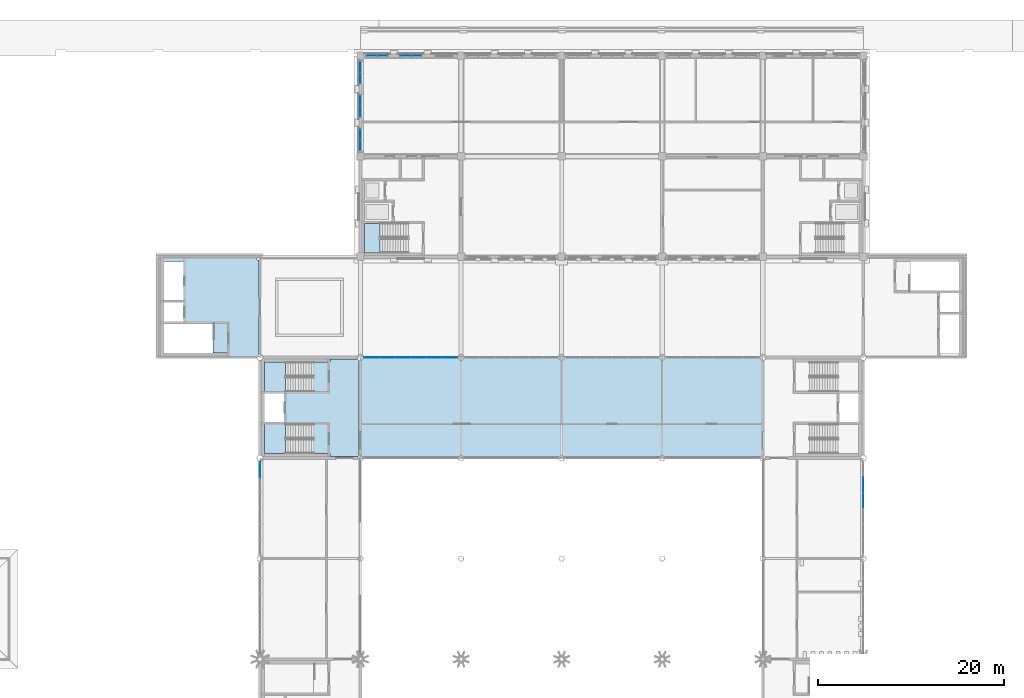
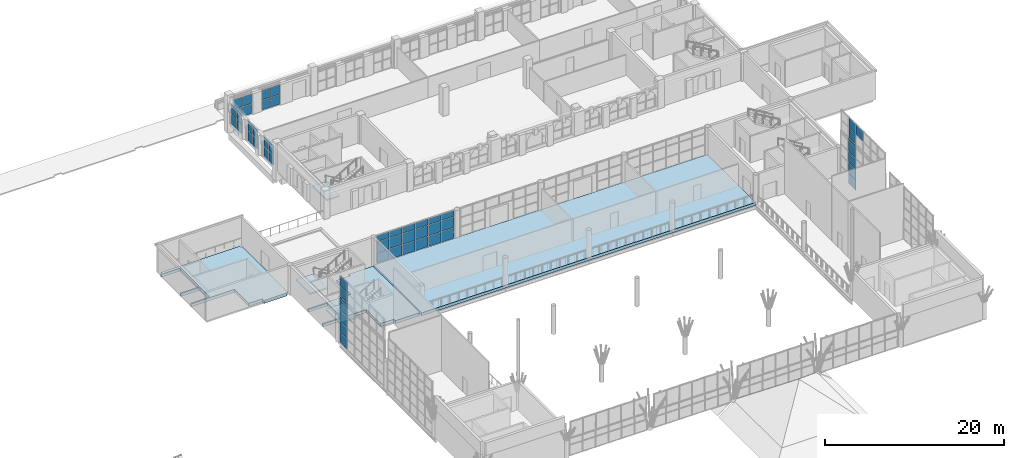
# One storey, part 50 of 95: 53 plates, 6 slabs, 13 elements without a shape of their own.
"""IFC4 building model written with IfcOpenShell, lengths in metres."""

from ifc_helpers import new_model, si_unit, direction, frame, origin, origin_2d, place, context, subcontext, project, spatial, polyline, rectangle, outline, extrude, material, layer, layer_set, type_object, element, aggregate, save


model = new_model("IFC4")

# Units and contexts
model_context = context("Model", 3, precision=1e-05, world=origin(), true_north=direction((0.0, 1.0)))
body_context = subcontext(model_context, "Body", "Model", "MODEL_VIEW")
ifc_project = project(units=[si_unit("LENGTHUNIT", "METRE"), si_unit("AREAUNIT", "SQUARE_METRE"), si_unit("VOLUMEUNIT", "CUBIC_METRE"), si_unit("PLANEANGLEUNIT", "RADIAN"), si_unit("MASSUNIT", "GRAM", prefix="KILO")], contexts=[model_context])

# Site, building, storey
site_placement = place(None, origin())
site = spatial("IfcSite", under=ifc_project, at=site_placement, CompositionType="ELEMENT")
building_placement = place(site_placement, origin())
building = spatial("IfcBuilding", under=site, at=building_placement, Name="Magnolia Steps Interchange", CompositionType="ELEMENT")
storey_placement = place(building_placement, frame((0.0, 0.0, 4.800048828125)))
storey = spatial("IfcBuildingStorey", under=building, at=storey_placement, Name="L01", CompositionType="ELEMENT", Elevation=4.800048828125)

# Slabs
ifc_material_1 = material(Name="Concrete C35", Category="concrete")
ifc_layer_1 = layer(ifc_material_1, 0.39990234375)
ifc_layer_set_1 = layer_set([ifc_layer_1], Name="Core floor slab 400")
slab_type_1 = type_object("IfcSlabType", Name="Core floor slab 400", PredefinedType="FLOOR", material=ifc_layer_set_1)
slab_1_placement = place(storey_placement, frame((0.0, 0.0, -0.400146484375)))
element("IfcSlab", 1, at=slab_1_placement, inside=storey, type_object=slab_type_1, Name="L01 core floor HC1", PredefinedType="FLOOR", context=body_context, shape_type="SweptSolid", body=[
    extrude(outline(polyline([(60.699951171875, 75.300048828125), (58.949951171875, 75.300048828125), (58.949951171875, 78.449951171875), (53.35009765625, 78.449951171875), (53.35009765625, 78.64990234375), (55.800048828125, 78.64990234375), (55.800048828125, 81.75), (53.35009765625, 81.75), (53.35009765625, 81.949951171875), (58.949951171875, 81.949951171875), (58.949951171875, 85.10009765625), (60.699951171875, 85.10009765625), (60.699951171875, 85.449951171875), (63.706298828125, 85.449951171875), (63.708984375, 85.4443359375), (63.7255859375, 85.416748046875), (63.744873046875, 85.390625), (63.7666015625, 85.36669921875), (63.790771484375, 85.344970703125), (63.816650390625, 85.32568359375), (63.844482421875, 85.30908203125), (63.85009765625, 85.306396484375), (63.85009765625, 75.065185546875), (63.83056640625, 75.0537109375), (63.806396484375, 75.035888671875), (63.784423828125, 75.015625), (63.76416015625, 74.993408203125), (63.746337890625, 74.969482421875), (63.73486328125, 74.949951171875), (60.699951171875, 74.949951171875), (60.699951171875, 75.300048828125)])), origin(), (0.0, 0.0, 1.0), 0.400146484375),
])
slab_2_placement = place(storey_placement, frame((0.0, 0.0, -0.400146484375)))
element("IfcSlab", 2, at=slab_2_placement, inside=storey, type_object=slab_type_1, Name="L01 core floor WC-W", PredefinedType="FLOOR", context=body_context, shape_type="SweptSolid", body=[
    extrude(outline(polyline([(49.89990234375, 86.10009765625), (48.14990234375, 86.10009765625), (48.14990234375, 89.25), (42.52490234375, 89.25), (42.52490234375, 89.449951171875), (45.0, 89.449951171875), (45.0, 91.550048828125), (42.52490234375, 91.550048828125), (42.52490234375, 91.75), (45.0, 91.75), (45.0, 95.89990234375), (42.52490234375, 95.89990234375), (42.52490234375, 96.10009765625), (42.699951171875, 96.10009765625), (42.699951171875, 96.27490234375), (52.89990234375, 96.27490234375), (52.89990234375, 96.10009765625), (53.074951171875, 96.10009765625), (53.074951171875, 85.9052734375), (53.07373046875, 85.90478515625), (53.04443359375, 85.89111328125), (53.0166015625, 85.874267578125), (52.99072265625, 85.85498046875), (52.966552734375, 85.833251953125), (52.94482421875, 85.809326171875), (52.925537109375, 85.783447265625), (52.908935546875, 85.755615234375), (52.89501953125, 85.726318359375), (52.894775390625, 85.72509765625), (49.89990234375, 85.72509765625), (49.89990234375, 86.10009765625)])), origin(), (0.0, 0.0, 1.0), 0.400146484375),
])

# Stair, slab
ifc_material_2 = material(Name="Concrete C40", Category="concrete")
stair_type = type_object("IfcStairType", Name="Exit stair 1500", PredefinedType="HALF_TURN_STAIR", material=ifc_material_2)
stair_1_placement = place(storey_placement, origin())
stair_1 = element("IfcStair", 3, at=stair_1_placement, inside=storey, type_object=stair_type, Name="L01 Stair 1", PredefinedType="HALF_TURN_STAIR")
ifc_material_3 = material(Name="Concrete C40", Category="concrete")
ifc_layer_2 = layer(ifc_material_3, 0.199951171875)
ifc_layer_set_2 = layer_set([ifc_layer_2], Name="Exit stair landing 200")
slab_type_2 = type_object("IfcSlabType", Name="Exit stair landing 200", PredefinedType="LANDING", material=ifc_layer_set_2)
slab_3_placement = place(storey_placement, frame((0.0, 0.0, 1.75)))
slab_3 = element("IfcSlab", 4, at=slab_3_placement, type_object=slab_type_2, Name="Stair 1 landing 1", PredefinedType="LANDING", context=body_context, shape_type="SweptSolid", body=[
    extrude(outline(polyline([(55.919921875, 78.449951171875), (53.699951171875, 78.449951171875), (53.699951171875, 75.300048828125), (55.919921875, 75.300048828125), (55.919921875, 78.449951171875)])), origin(), (0.0, 0.0, 1.0), 0.199951171875),
])
aggregate(stair_1, [slab_3])

stair_2_placement = place(storey_placement, origin())
stair_2 = element("IfcStair", 5, at=stair_2_placement, inside=storey, type_object=stair_type, Name="L01 Stair 2", PredefinedType="HALF_TURN_STAIR")
slab_4_placement = place(storey_placement, frame((0.0, 0.0, 1.75)))
slab_4 = element("IfcSlab", 6, at=slab_4_placement, type_object=slab_type_2, Name="Stair 2 landing 1", PredefinedType="LANDING", context=body_context, shape_type="SweptSolid", body=[
    extrude(outline(polyline([(55.919921875, 85.10009765625), (53.699951171875, 85.10009765625), (53.699951171875, 81.949951171875), (55.919921875, 81.949951171875), (55.919921875, 85.10009765625)])), origin(), (0.0, 0.0, 1.0), 0.199951171875),
])
aggregate(stair_2, [slab_4])

stair_3_placement = place(storey_placement, origin())
stair_3 = element("IfcStair", 7, at=stair_3_placement, inside=storey, type_object=stair_type, Name="L01 Stair 28", PredefinedType="HALF_TURN_STAIR")
slab_5_placement = place(storey_placement, frame((0.0, 0.0, 1.75)))
slab_5 = element("IfcSlab", 8, at=slab_5_placement, type_object=slab_type_2, Name="Stair 28 landing 1", PredefinedType="LANDING", context=body_context, shape_type="SweptSolid", body=[
    extrude(outline(polyline([(66.070068359375, 100.0), (64.449951171875, 100.0), (64.449951171875, 96.85009765625), (66.070068359375, 96.85009765625), (66.070068359375, 100.0)])), origin(), (0.0, 0.0, 1.0), 0.199951171875),
])
aggregate(stair_3, [slab_5])

# Slab
ifc_material_4 = material(Name="Concrete C40", Category="concrete")
ifc_layer_3 = layer(ifc_material_4, 0.39990234375)
ifc_layer_set_3 = layer_set([ifc_layer_3], Name="Floor slab 400")
slab_type_3 = type_object("IfcSlabType", Name="Floor slab 400", PredefinedType="FLOOR", material=ifc_layer_set_3)
slab_6_placement = place(storey_placement, frame((0.0, 0.0, -0.400146484375)))
element("IfcSlab", 9, at=slab_6_placement, inside=storey, type_object=slab_type_3, Name="Hall gallery floor", PredefinedType="FLOOR", context=body_context, shape_type="SweptSolid", body=[
    extrude(outline(polyline([(64.0, 85.60009765625), (64.0, 74.800048828125), (107.199951171875, 74.800048828125), (107.199951171875, 85.60009765625), (64.0, 85.60009765625)])), origin(), (0.0, 0.0, 1.0), 0.400146484375),
])

# Curtain wall, plates
ifc_material_5 = material(Name="Powder-coated aluminium and glass", Category="aluminium")
ifc_layer_4 = layer(ifc_material_5, 0.179931640625)
ifc_layer_set_4 = layer_set([ifc_layer_4], Name="Lobby shopfront curtain wall")
curtain_wall_type_1 = type_object("IfcCurtainWallType", Name="Lobby shopfront curtain wall", PredefinedType="NOTDEFINED", material=ifc_layer_set_4)
curtain_wall_1_placement = place(storey_placement, origin())
curtain_wall_1 = element("IfcCurtainWall", 10, at=curtain_wall_1_placement, inside=storey, type_object=curtain_wall_type_1, Name="Operations lobby north glazing 2", PredefinedType="NOTDEFINED")
ifc_material_6 = material(Name="Laminated glass", Category="glass")
ifc_layer_5 = layer(ifc_material_6, 0.028076171875)
ifc_layer_set_5 = layer_set([ifc_layer_5], Name="Glass panel 28")
plate_type = type_object("IfcPlateType", Name="Glass panel 28", PredefinedType="CURTAIN_PANEL", material=ifc_layer_set_5)
plate_1_placement = place(storey_placement, frame((65.215087890625, 118.0, 0.059814453125), z_axis=(0.0, 0.0, 1.0), x_axis=(1.0, 0.0, 0.0)))
plate_1 = element("IfcPlate", 11, at=plate_1_placement, type_object=plate_type, Name="CW5 panel 1.1", PredefinedType="CURTAIN_PANEL", context=body_context, shape_type="SweptSolid", body=[
    extrude(rectangle(XDim=1.110107421875, YDim=0.028076171875, at=origin_2d()), origin(), (0.0, 0.0, 1.0), 1.31005859375),
])
plate_2_placement = place(storey_placement, frame((65.215087890625, 118.0, 1.429931640625), z_axis=(0.0, 0.0, 1.0), x_axis=(1.0, 0.0, 0.0)))
plate_2 = element("IfcPlate", 12, at=plate_2_placement, type_object=plate_type, Name="CW5 panel 1.2", PredefinedType="CURTAIN_PANEL", context=body_context, shape_type="SweptSolid", body=[
    extrude(rectangle(XDim=1.110107421875, YDim=0.028076171875, at=origin_2d()), origin(), (0.0, 0.0, 1.0), 1.31005859375),
])
plate_3_placement = place(storey_placement, frame((66.385009765625, 118.0, 0.059814453125), z_axis=(0.0, 0.0, 1.0), x_axis=(1.0, 0.0, 0.0)))
plate_3 = element("IfcPlate", 13, at=plate_3_placement, type_object=plate_type, Name="CW5 panel 2.1", PredefinedType="CURTAIN_PANEL", context=body_context, shape_type="SweptSolid", body=[
    extrude(rectangle(XDim=1.110107421875, YDim=0.028076171875, at=origin_2d()), origin(), (0.0, 0.0, 1.0), 1.31005859375),
])
plate_4_placement = place(storey_placement, frame((66.385009765625, 118.0, 1.429931640625), z_axis=(0.0, 0.0, 1.0), x_axis=(1.0, 0.0, 0.0)))
plate_4 = element("IfcPlate", 14, at=plate_4_placement, type_object=plate_type, Name="CW5 panel 2.2", PredefinedType="CURTAIN_PANEL", context=body_context, shape_type="SweptSolid", body=[
    extrude(rectangle(XDim=1.110107421875, YDim=0.028076171875, at=origin_2d()), origin(), (0.0, 0.0, 1.0), 1.31005859375),
])
aggregate(curtain_wall_1, [plate_1, plate_2, plate_3, plate_4])

curtain_wall_2_placement = place(storey_placement, origin())
curtain_wall_2 = element("IfcCurtainWall", 15, at=curtain_wall_2_placement, inside=storey, type_object=curtain_wall_type_1, Name="Operations lobby north glazing 4", PredefinedType="NOTDEFINED")
plate_5_placement = place(storey_placement, frame((68.81494140625, 118.0, 0.059814453125), z_axis=(0.0, 0.0, 1.0), x_axis=(1.0, 0.0, 0.0)))
plate_5 = element("IfcPlate", 16, at=plate_5_placement, type_object=plate_type, Name="CW5 panel 1.1", PredefinedType="CURTAIN_PANEL", context=body_context, shape_type="SweptSolid", body=[
    extrude(rectangle(XDim=1.110107421875, YDim=0.028076171875, at=origin_2d()), origin(), (0.0, 0.0, 1.0), 1.31005859375),
])
plate_6_placement = place(storey_placement, frame((68.81494140625, 118.0, 1.429931640625), z_axis=(0.0, 0.0, 1.0), x_axis=(1.0, 0.0, 0.0)))
plate_6 = element("IfcPlate", 17, at=plate_6_placement, type_object=plate_type, Name="CW5 panel 1.2", PredefinedType="CURTAIN_PANEL", context=body_context, shape_type="SweptSolid", body=[
    extrude(rectangle(XDim=1.110107421875, YDim=0.028076171875, at=origin_2d()), origin(), (0.0, 0.0, 1.0), 1.31005859375),
])
plate_7_placement = place(storey_placement, frame((69.985107421875, 118.0, 0.059814453125), z_axis=(0.0, 0.0, 1.0), x_axis=(1.0, 0.0, 0.0)))
plate_7 = element("IfcPlate", 18, at=plate_7_placement, type_object=plate_type, Name="CW5 panel 2.1", PredefinedType="CURTAIN_PANEL", context=body_context, shape_type="SweptSolid", body=[
    extrude(rectangle(XDim=1.110107421875, YDim=0.028076171875, at=origin_2d()), origin(), (0.0, 0.0, 1.0), 1.31005859375),
])
plate_8_placement = place(storey_placement, frame((69.985107421875, 118.0, 1.429931640625), z_axis=(0.0, 0.0, 1.0), x_axis=(1.0, 0.0, 0.0)))
plate_8 = element("IfcPlate", 19, at=plate_8_placement, type_object=plate_type, Name="CW5 panel 2.2", PredefinedType="CURTAIN_PANEL", context=body_context, shape_type="SweptSolid", body=[
    extrude(rectangle(XDim=1.110107421875, YDim=0.028076171875, at=origin_2d()), origin(), (0.0, 0.0, 1.0), 1.31005859375),
])
aggregate(curtain_wall_2, [plate_5, plate_6, plate_7, plate_8])

curtain_wall_3_placement = place(storey_placement, origin())
curtain_wall_3 = element("IfcCurtainWall", 20, at=curtain_wall_3_placement, inside=storey, type_object=curtain_wall_type_1, Name="Operations lobby west glazing 2", PredefinedType="NOTDEFINED")
plate_9_placement = place(storey_placement, frame((64.0, 108.4150390625, 0.059814453125), z_axis=(0.0, 0.0, 1.0), x_axis=(0.0, 1.0, 0.0)))
plate_9 = element("IfcPlate", 21, at=plate_9_placement, type_object=plate_type, Name="CW5 panel 1.1", PredefinedType="CURTAIN_PANEL", context=body_context, shape_type="SweptSolid", body=[
    extrude(rectangle(XDim=1.110107421875, YDim=0.028076171875, at=origin_2d()), origin(), (0.0, 0.0, 1.0), 1.31005859375),
])
plate_10_placement = place(storey_placement, frame((64.0, 108.4150390625, 1.429931640625), z_axis=(0.0, 0.0, 1.0), x_axis=(0.0, 1.0, 0.0)))
plate_10 = element("IfcPlate", 22, at=plate_10_placement, type_object=plate_type, Name="CW5 panel 1.2", PredefinedType="CURTAIN_PANEL", context=body_context, shape_type="SweptSolid", body=[
    extrude(rectangle(XDim=1.110107421875, YDim=0.028076171875, at=origin_2d()), origin(), (0.0, 0.0, 1.0), 1.31005859375),
])
plate_11_placement = place(storey_placement, frame((64.0, 109.5849609375, 0.059814453125), z_axis=(0.0, 0.0, 1.0), x_axis=(0.0, 1.0, 0.0)))
plate_11 = element("IfcPlate", 23, at=plate_11_placement, type_object=plate_type, Name="CW5 panel 2.1", PredefinedType="CURTAIN_PANEL", context=body_context, shape_type="SweptSolid", body=[
    extrude(rectangle(XDim=1.110107421875, YDim=0.028076171875, at=origin_2d()), origin(), (0.0, 0.0, 1.0), 1.31005859375),
])
plate_12_placement = place(storey_placement, frame((64.0, 109.5849609375, 1.429931640625), z_axis=(0.0, 0.0, 1.0), x_axis=(0.0, 1.0, 0.0)))
plate_12 = element("IfcPlate", 24, at=plate_12_placement, type_object=plate_type, Name="CW5 panel 2.2", PredefinedType="CURTAIN_PANEL", context=body_context, shape_type="SweptSolid", body=[
    extrude(rectangle(XDim=1.110107421875, YDim=0.028076171875, at=origin_2d()), origin(), (0.0, 0.0, 1.0), 1.31005859375),
])
aggregate(curtain_wall_3, [plate_9, plate_10, plate_11, plate_12])

curtain_wall_4_placement = place(storey_placement, origin())
curtain_wall_4 = element("IfcCurtainWall", 25, at=curtain_wall_4_placement, inside=storey, type_object=curtain_wall_type_1, Name="Operations lobby west glazing 4", PredefinedType="NOTDEFINED")
plate_13_placement = place(storey_placement, frame((64.0, 112.014892578125, 0.059814453125), z_axis=(0.0, 0.0, 1.0), x_axis=(0.0, 1.0, 0.0)))
plate_13 = element("IfcPlate", 26, at=plate_13_placement, type_object=plate_type, Name="CW5 panel 1.1", PredefinedType="CURTAIN_PANEL", context=body_context, shape_type="SweptSolid", body=[
    extrude(rectangle(XDim=1.110107421875, YDim=0.028076171875, at=origin_2d()), origin(), (0.0, 0.0, 1.0), 1.31005859375),
])
plate_14_placement = place(storey_placement, frame((64.0, 112.014892578125, 1.429931640625), z_axis=(0.0, 0.0, 1.0), x_axis=(0.0, 1.0, 0.0)))
plate_14 = element("IfcPlate", 27, at=plate_14_placement, type_object=plate_type, Name="CW5 panel 1.2", PredefinedType="CURTAIN_PANEL", context=body_context, shape_type="SweptSolid", body=[
    extrude(rectangle(XDim=1.110107421875, YDim=0.028076171875, at=origin_2d()), origin(), (0.0, 0.0, 1.0), 1.31005859375),
])
plate_15_placement = place(storey_placement, frame((64.0, 113.18505859375, 0.059814453125), z_axis=(0.0, 0.0, 1.0), x_axis=(0.0, 1.0, 0.0)))
plate_15 = element("IfcPlate", 28, at=plate_15_placement, type_object=plate_type, Name="CW5 panel 2.1", PredefinedType="CURTAIN_PANEL", context=body_context, shape_type="SweptSolid", body=[
    extrude(rectangle(XDim=1.110107421875, YDim=0.028076171875, at=origin_2d()), origin(), (0.0, 0.0, 1.0), 1.31005859375),
])
plate_16_placement = place(storey_placement, frame((64.0, 113.18505859375, 1.429931640625), z_axis=(0.0, 0.0, 1.0), x_axis=(0.0, 1.0, 0.0)))
plate_16 = element("IfcPlate", 29, at=plate_16_placement, type_object=plate_type, Name="CW5 panel 2.2", PredefinedType="CURTAIN_PANEL", context=body_context, shape_type="SweptSolid", body=[
    extrude(rectangle(XDim=1.110107421875, YDim=0.028076171875, at=origin_2d()), origin(), (0.0, 0.0, 1.0), 1.31005859375),
])
aggregate(curtain_wall_4, [plate_13, plate_14, plate_15, plate_16])

curtain_wall_5_placement = place(storey_placement, origin())
curtain_wall_5 = element("IfcCurtainWall", 30, at=curtain_wall_5_placement, inside=storey, type_object=curtain_wall_type_1, Name="Operations lobby west glazing 6", PredefinedType="NOTDEFINED")
plate_17_placement = place(storey_placement, frame((64.0, 115.614990234375, 0.059814453125), z_axis=(0.0, 0.0, 1.0), x_axis=(0.0, 1.0, 0.0)))
plate_17 = element("IfcPlate", 31, at=plate_17_placement, type_object=plate_type, Name="CW5 panel 1.1", PredefinedType="CURTAIN_PANEL", context=body_context, shape_type="SweptSolid", body=[
    extrude(rectangle(XDim=1.110107421875, YDim=0.028076171875, at=origin_2d()), origin(), (0.0, 0.0, 1.0), 1.31005859375),
])
plate_18_placement = place(storey_placement, frame((64.0, 115.614990234375, 1.429931640625), z_axis=(0.0, 0.0, 1.0), x_axis=(0.0, 1.0, 0.0)))
plate_18 = element("IfcPlate", 32, at=plate_18_placement, type_object=plate_type, Name="CW5 panel 1.2", PredefinedType="CURTAIN_PANEL", context=body_context, shape_type="SweptSolid", body=[
    extrude(rectangle(XDim=1.110107421875, YDim=0.028076171875, at=origin_2d()), origin(), (0.0, 0.0, 1.0), 1.31005859375),
])
plate_19_placement = place(storey_placement, frame((64.0, 116.784912109375, 0.059814453125), z_axis=(0.0, 0.0, 1.0), x_axis=(0.0, 1.0, 0.0)))
plate_19 = element("IfcPlate", 33, at=plate_19_placement, type_object=plate_type, Name="CW5 panel 2.1", PredefinedType="CURTAIN_PANEL", context=body_context, shape_type="SweptSolid", body=[
    extrude(rectangle(XDim=1.110107421875, YDim=0.028076171875, at=origin_2d()), origin(), (0.0, 0.0, 1.0), 1.31005859375),
])
plate_20_placement = place(storey_placement, frame((64.0, 116.784912109375, 1.429931640625), z_axis=(0.0, 0.0, 1.0), x_axis=(0.0, 1.0, 0.0)))
plate_20 = element("IfcPlate", 34, at=plate_20_placement, type_object=plate_type, Name="CW5 panel 2.2", PredefinedType="CURTAIN_PANEL", context=body_context, shape_type="SweptSolid", body=[
    extrude(rectangle(XDim=1.110107421875, YDim=0.028076171875, at=origin_2d()), origin(), (0.0, 0.0, 1.0), 1.31005859375),
])
aggregate(curtain_wall_5, [plate_17, plate_18, plate_19, plate_20])

ifc_material_7 = material(Name="Powder-coated aluminium and glass", Category="aluminium")
ifc_layer_6 = layer(ifc_material_7, 0.14990234375)
ifc_layer_set_6 = layer_set([ifc_layer_6], Name="Glazed hall curtain wall")
curtain_wall_type_2 = type_object("IfcCurtainWallType", Name="Glazed hall curtain wall", PredefinedType="NOTDEFINED", material=ifc_layer_set_6)
curtain_wall_6_placement = place(storey_placement, origin())
curtain_wall_6 = element("IfcCurtainWall", 35, at=curtain_wall_6_placement, inside=storey, type_object=curtain_wall_type_2, Name="Hall glazing N2 L01", PredefinedType="NOTDEFINED")
plate_21_placement = place(storey_placement, frame((65.215087890625, 85.60009765625, 0.06005859375), z_axis=(0.0, 0.0, 1.0), x_axis=(1.0, 0.0, 0.0)))
plate_21 = element("IfcPlate", 36, at=plate_21_placement, type_object=plate_type, Name="CW1 panel 1.1", PredefinedType="CURTAIN_PANEL", context=body_context, shape_type="SweptSolid", body=[
    extrude(rectangle(XDim=1.590087890625, YDim=0.028076171875, at=origin_2d()), origin(), (0.0, 0.0, 1.0), 1.409912109375),
])
plate_22_placement = place(storey_placement, frame((65.215087890625, 85.60009765625, 1.530029296875), z_axis=(0.0, 0.0, 1.0), x_axis=(1.0, 0.0, 0.0)))
plate_22 = element("IfcPlate", 37, at=plate_22_placement, type_object=plate_type, Name="CW1 panel 1.2", PredefinedType="CURTAIN_PANEL", context=body_context, shape_type="SweptSolid", body=[
    extrude(rectangle(XDim=1.590087890625, YDim=0.028076171875, at=origin_2d()), origin(), (0.0, 0.0, 1.0), 1.43994140625),
])
plate_23_placement = place(storey_placement, frame((65.215087890625, 85.60009765625, 3.030029296875), z_axis=(0.0, 0.0, 1.0), x_axis=(1.0, 0.0, 0.0)))
plate_23 = element("IfcPlate", 38, at=plate_23_placement, type_object=plate_type, Name="CW1 panel 1.3", PredefinedType="CURTAIN_PANEL", context=body_context, shape_type="SweptSolid", body=[
    extrude(rectangle(XDim=1.590087890625, YDim=0.028076171875, at=origin_2d()), origin(), (0.0, 0.0, 1.0), 0.81005859375),
])
plate_24_placement = place(storey_placement, frame((66.8798828125, 85.60009765625, 0.06005859375), z_axis=(0.0, 0.0, 1.0), x_axis=(1.0, 0.0, 0.0)))
plate_24 = element("IfcPlate", 39, at=plate_24_placement, type_object=plate_type, Name="CW1 panel 2.1", PredefinedType="CURTAIN_PANEL", context=body_context, shape_type="SweptSolid", body=[
    extrude(rectangle(XDim=1.6201171875, YDim=0.028076171875, at=origin_2d()), origin(), (0.0, 0.0, 1.0), 1.409912109375),
])
plate_25_placement = place(storey_placement, frame((66.8798828125, 85.60009765625, 1.530029296875), z_axis=(0.0, 0.0, 1.0), x_axis=(1.0, 0.0, 0.0)))
plate_25 = element("IfcPlate", 40, at=plate_25_placement, type_object=plate_type, Name="CW1 panel 2.2", PredefinedType="CURTAIN_PANEL", context=body_context, shape_type="SweptSolid", body=[
    extrude(rectangle(XDim=1.6201171875, YDim=0.028076171875, at=origin_2d()), origin(), (0.0, 0.0, 1.0), 1.43994140625),
])
plate_26_placement = place(storey_placement, frame((66.8798828125, 85.60009765625, 3.030029296875), z_axis=(0.0, 0.0, 1.0), x_axis=(1.0, 0.0, 0.0)))
plate_26 = element("IfcPlate", 41, at=plate_26_placement, type_object=plate_type, Name="CW1 panel 2.3", PredefinedType="CURTAIN_PANEL", context=body_context, shape_type="SweptSolid", body=[
    extrude(rectangle(XDim=1.6201171875, YDim=0.028076171875, at=origin_2d()), origin(), (0.0, 0.0, 1.0), 0.81005859375),
])
plate_27_placement = place(storey_placement, frame((68.56005859375, 85.60009765625, 0.06005859375), z_axis=(0.0, 0.0, 1.0), x_axis=(1.0, 0.0, 0.0)))
plate_27 = element("IfcPlate", 42, at=plate_27_placement, type_object=plate_type, Name="CW1 panel 3.1", PredefinedType="CURTAIN_PANEL", context=body_context, shape_type="SweptSolid", body=[
    extrude(rectangle(XDim=1.6201171875, YDim=0.028076171875, at=origin_2d()), origin(), (0.0, 0.0, 1.0), 1.409912109375),
])
plate_28_placement = place(storey_placement, frame((68.56005859375, 85.60009765625, 1.530029296875), z_axis=(0.0, 0.0, 1.0), x_axis=(1.0, 0.0, 0.0)))
plate_28 = element("IfcPlate", 43, at=plate_28_placement, type_object=plate_type, Name="CW1 panel 3.2", PredefinedType="CURTAIN_PANEL", context=body_context, shape_type="SweptSolid", body=[
    extrude(rectangle(XDim=1.6201171875, YDim=0.028076171875, at=origin_2d()), origin(), (0.0, 0.0, 1.0), 1.43994140625),
])
plate_29_placement = place(storey_placement, frame((68.56005859375, 85.60009765625, 3.030029296875), z_axis=(0.0, 0.0, 1.0), x_axis=(1.0, 0.0, 0.0)))
plate_29 = element("IfcPlate", 44, at=plate_29_placement, type_object=plate_type, Name="CW1 panel 3.3", PredefinedType="CURTAIN_PANEL", context=body_context, shape_type="SweptSolid", body=[
    extrude(rectangle(XDim=1.6201171875, YDim=0.028076171875, at=origin_2d()), origin(), (0.0, 0.0, 1.0), 0.81005859375),
])
plate_30_placement = place(storey_placement, frame((70.239990234375, 85.60009765625, 0.06005859375), z_axis=(0.0, 0.0, 1.0), x_axis=(1.0, 0.0, 0.0)))
plate_30 = element("IfcPlate", 45, at=plate_30_placement, type_object=plate_type, Name="CW1 panel 4.1", PredefinedType="CURTAIN_PANEL", context=body_context, shape_type="SweptSolid", body=[
    extrude(rectangle(XDim=1.6201171875, YDim=0.028076171875, at=origin_2d()), origin(), (0.0, 0.0, 1.0), 1.409912109375),
])
plate_31_placement = place(storey_placement, frame((70.239990234375, 85.60009765625, 1.530029296875), z_axis=(0.0, 0.0, 1.0), x_axis=(1.0, 0.0, 0.0)))
plate_31 = element("IfcPlate", 46, at=plate_31_placement, type_object=plate_type, Name="CW1 panel 4.2", PredefinedType="CURTAIN_PANEL", context=body_context, shape_type="SweptSolid", body=[
    extrude(rectangle(XDim=1.6201171875, YDim=0.028076171875, at=origin_2d()), origin(), (0.0, 0.0, 1.0), 1.43994140625),
])
plate_32_placement = place(storey_placement, frame((70.239990234375, 85.60009765625, 3.030029296875), z_axis=(0.0, 0.0, 1.0), x_axis=(1.0, 0.0, 0.0)))
plate_32 = element("IfcPlate", 47, at=plate_32_placement, type_object=plate_type, Name="CW1 panel 4.3", PredefinedType="CURTAIN_PANEL", context=body_context, shape_type="SweptSolid", body=[
    extrude(rectangle(XDim=1.6201171875, YDim=0.028076171875, at=origin_2d()), origin(), (0.0, 0.0, 1.0), 0.81005859375),
])
plate_33_placement = place(storey_placement, frame((71.919921875, 85.60009765625, 0.06005859375), z_axis=(0.0, 0.0, 1.0), x_axis=(1.0, 0.0, 0.0)))
plate_33 = element("IfcPlate", 48, at=plate_33_placement, type_object=plate_type, Name="CW1 panel 5.1", PredefinedType="CURTAIN_PANEL", context=body_context, shape_type="SweptSolid", body=[
    extrude(rectangle(XDim=1.6201171875, YDim=0.028076171875, at=origin_2d()), origin(), (0.0, 0.0, 1.0), 1.409912109375),
])
plate_34_placement = place(storey_placement, frame((71.919921875, 85.60009765625, 1.530029296875), z_axis=(0.0, 0.0, 1.0), x_axis=(1.0, 0.0, 0.0)))
plate_34 = element("IfcPlate", 49, at=plate_34_placement, type_object=plate_type, Name="CW1 panel 5.2", PredefinedType="CURTAIN_PANEL", context=body_context, shape_type="SweptSolid", body=[
    extrude(rectangle(XDim=1.6201171875, YDim=0.028076171875, at=origin_2d()), origin(), (0.0, 0.0, 1.0), 1.43994140625),
])
plate_35_placement = place(storey_placement, frame((71.919921875, 85.60009765625, 3.030029296875), z_axis=(0.0, 0.0, 1.0), x_axis=(1.0, 0.0, 0.0)))
plate_35 = element("IfcPlate", 50, at=plate_35_placement, type_object=plate_type, Name="CW1 panel 5.3", PredefinedType="CURTAIN_PANEL", context=body_context, shape_type="SweptSolid", body=[
    extrude(rectangle(XDim=1.6201171875, YDim=0.028076171875, at=origin_2d()), origin(), (0.0, 0.0, 1.0), 0.81005859375),
])
plate_36_placement = place(storey_placement, frame((73.5849609375, 85.60009765625, 0.06005859375), z_axis=(0.0, 0.0, 1.0), x_axis=(1.0, 0.0, 0.0)))
plate_36 = element("IfcPlate", 51, at=plate_36_placement, type_object=plate_type, Name="CW1 panel 6.1", PredefinedType="CURTAIN_PANEL", context=body_context, shape_type="SweptSolid", body=[
    extrude(rectangle(XDim=1.590087890625, YDim=0.028076171875, at=origin_2d()), origin(), (0.0, 0.0, 1.0), 1.409912109375),
])
plate_37_placement = place(storey_placement, frame((73.5849609375, 85.60009765625, 1.530029296875), z_axis=(0.0, 0.0, 1.0), x_axis=(1.0, 0.0, 0.0)))
plate_37 = element("IfcPlate", 52, at=plate_37_placement, type_object=plate_type, Name="CW1 panel 6.2", PredefinedType="CURTAIN_PANEL", context=body_context, shape_type="SweptSolid", body=[
    extrude(rectangle(XDim=1.590087890625, YDim=0.028076171875, at=origin_2d()), origin(), (0.0, 0.0, 1.0), 1.43994140625),
])
plate_38_placement = place(storey_placement, frame((73.5849609375, 85.60009765625, 3.030029296875), z_axis=(0.0, 0.0, 1.0), x_axis=(1.0, 0.0, 0.0)))
plate_38 = element("IfcPlate", 53, at=plate_38_placement, type_object=plate_type, Name="CW1 panel 6.3", PredefinedType="CURTAIN_PANEL", context=body_context, shape_type="SweptSolid", body=[
    extrude(rectangle(XDim=1.590087890625, YDim=0.028076171875, at=origin_2d()), origin(), (0.0, 0.0, 1.0), 0.81005859375),
])
aggregate(curtain_wall_6, [plate_21, plate_22, plate_23, plate_24, plate_25, plate_26, plate_27, plate_28, plate_29, plate_30, plate_31, plate_32, plate_33, plate_34, plate_35, plate_36, plate_37, plate_38])

curtain_wall_7_placement = place(storey_placement, origin())
curtain_wall_7 = element("IfcCurtainWall", 54, at=curtain_wall_7_placement, inside=storey, type_object=curtain_wall_type_2, Name="Hall glazing W3 L01", PredefinedType="NOTDEFINED")
plate_39_placement = place(storey_placement, frame((53.199951171875, 73.5849609375, 0.06005859375), z_axis=(0.0, 0.0, 1.0), x_axis=(0.0, 1.0, 0.0)))
plate_39 = element("IfcPlate", 55, at=plate_39_placement, type_object=plate_type, Name="CW1 panel 6.1", PredefinedType="CURTAIN_PANEL", context=body_context, shape_type="SweptSolid", body=[
    extrude(rectangle(XDim=1.590087890625, YDim=0.028076171875, at=origin_2d()), origin(), (0.0, 0.0, 1.0), 1.409912109375),
])
plate_40_placement = place(storey_placement, frame((53.199951171875, 73.5849609375, 1.530029296875), z_axis=(0.0, 0.0, 1.0), x_axis=(0.0, 1.0, 0.0)))
plate_40 = element("IfcPlate", 56, at=plate_40_placement, type_object=plate_type, Name="CW1 panel 6.2", PredefinedType="CURTAIN_PANEL", context=body_context, shape_type="SweptSolid", body=[
    extrude(rectangle(XDim=1.590087890625, YDim=0.028076171875, at=origin_2d()), origin(), (0.0, 0.0, 1.0), 1.43994140625),
])
plate_41_placement = place(storey_placement, frame((53.199951171875, 73.5849609375, 3.030029296875), z_axis=(0.0, 0.0, 1.0), x_axis=(0.0, 1.0, 0.0)))
plate_41 = element("IfcPlate", 57, at=plate_41_placement, type_object=plate_type, Name="CW1 panel 6.3", PredefinedType="CURTAIN_PANEL", context=body_context, shape_type="SweptSolid", body=[
    extrude(rectangle(XDim=1.590087890625, YDim=0.028076171875, at=origin_2d()), origin(), (0.0, 0.0, 1.0), 1.43994140625),
])
plate_42_placement = place(storey_placement, frame((53.199951171875, 73.5849609375, 4.530029296875), z_axis=(0.0, 0.0, 1.0), x_axis=(0.0, 1.0, 0.0)))
plate_42 = element("IfcPlate", 58, at=plate_42_placement, type_object=plate_type, Name="CW1 panel 6.4", PredefinedType="CURTAIN_PANEL", context=body_context, shape_type="SweptSolid", body=[
    extrude(rectangle(XDim=1.590087890625, YDim=0.028076171875, at=origin_2d()), origin(), (0.0, 0.0, 1.0), 1.43994140625),
])
plate_43_placement = place(storey_placement, frame((53.199951171875, 73.5849609375, 6.030029296875), z_axis=(0.0, 0.0, 1.0), x_axis=(0.0, 1.0, 0.0)))
plate_43 = element("IfcPlate", 59, at=plate_43_placement, type_object=plate_type, Name="CW1 panel 6.5", PredefinedType="CURTAIN_PANEL", context=body_context, shape_type="SweptSolid", body=[
    extrude(rectangle(XDim=1.590087890625, YDim=0.028076171875, at=origin_2d()), origin(), (0.0, 0.0, 1.0), 0.31005859375),
])
aggregate(curtain_wall_7, [plate_39, plate_40, plate_41, plate_42, plate_43])

ifc_material_8 = material(Name="Powder-coated aluminium and glass", Category="aluminium")
ifc_layer_7 = layer(ifc_material_8, 0.1201171875)
ifc_layer_set_7 = layer_set([ifc_layer_7], Name="Hall clerestory curtain wall")
curtain_wall_type_3 = type_object("IfcCurtainWallType", Name="Hall clerestory curtain wall", PredefinedType="NOTDEFINED", material=ifc_layer_set_7)
curtain_wall_8_placement = place(storey_placement, origin())
curtain_wall_8 = element("IfcCurtainWall", 60, at=curtain_wall_8_placement, inside=storey, type_object=curtain_wall_type_3, Name="Hall clerestory W3", PredefinedType="NOTDEFINED")
plate_44_placement = place(storey_placement, frame((53.199951171875, 73.485107421875, 6.4599609375), z_axis=(0.0, 0.0, 1.0), x_axis=(0.0, 1.0, 0.0)))
plate_44 = element("IfcPlate", 61, at=plate_44_placement, type_object=plate_type, Name="CW6 panel 6.1", PredefinedType="CURTAIN_PANEL", context=body_context, shape_type="SweptSolid", body=[
    extrude(rectangle(XDim=1.550048828125, YDim=0.028076171875, at=origin_2d()), origin(), (0.0, 0.0, 1.0), 1.31005859375),
])
plate_45_placement = place(storey_placement, frame((53.199951171875, 73.485107421875, 7.829833984375), z_axis=(0.0, 0.0, 1.0), x_axis=(0.0, 1.0, 0.0)))
plate_45 = element("IfcPlate", 62, at=plate_45_placement, type_object=plate_type, Name="CW6 panel 6.2", PredefinedType="CURTAIN_PANEL", context=body_context, shape_type="SweptSolid", body=[
    extrude(rectangle(XDim=1.550048828125, YDim=0.028076171875, at=origin_2d()), origin(), (0.0, 0.0, 1.0), 1.31005859375),
])
aggregate(curtain_wall_8, [plate_44, plate_45])

curtain_wall_9_placement = place(storey_placement, origin())
curtain_wall_9 = element("IfcCurtainWall", 63, at=curtain_wall_9_placement, inside=storey, type_object=curtain_wall_type_2, Name="Hall glazing E3 L01", PredefinedType="NOTDEFINED")
plate_46_placement = place(storey_placement, frame((118.0, 71.919921875, 0.06005859375), z_axis=(0.0, 0.0, 1.0), x_axis=(0.0, 1.0, 0.0)))
plate_46 = element("IfcPlate", 64, at=plate_46_placement, type_object=plate_type, Name="CW1 panel 5.1", PredefinedType="CURTAIN_PANEL", context=body_context, shape_type="SweptSolid", body=[
    extrude(rectangle(XDim=1.6201171875, YDim=0.028076171875, at=origin_2d()), origin(), (0.0, 0.0, 1.0), 1.409912109375),
])
plate_47_placement = place(storey_placement, frame((118.0, 71.919921875, 1.530029296875), z_axis=(0.0, 0.0, 1.0), x_axis=(0.0, 1.0, 0.0)))
plate_47 = element("IfcPlate", 65, at=plate_47_placement, type_object=plate_type, Name="CW1 panel 5.2", PredefinedType="CURTAIN_PANEL", context=body_context, shape_type="SweptSolid", body=[
    extrude(rectangle(XDim=1.6201171875, YDim=0.028076171875, at=origin_2d()), origin(), (0.0, 0.0, 1.0), 1.43994140625),
])
plate_48_placement = place(storey_placement, frame((118.0, 71.919921875, 3.030029296875), z_axis=(0.0, 0.0, 1.0), x_axis=(0.0, 1.0, 0.0)))
plate_48 = element("IfcPlate", 66, at=plate_48_placement, type_object=plate_type, Name="CW1 panel 5.3", PredefinedType="CURTAIN_PANEL", context=body_context, shape_type="SweptSolid", body=[
    extrude(rectangle(XDim=1.6201171875, YDim=0.028076171875, at=origin_2d()), origin(), (0.0, 0.0, 1.0), 1.43994140625),
])
plate_49_placement = place(storey_placement, frame((118.0, 71.919921875, 4.530029296875), z_axis=(0.0, 0.0, 1.0), x_axis=(0.0, 1.0, 0.0)))
plate_49 = element("IfcPlate", 67, at=plate_49_placement, type_object=plate_type, Name="CW1 panel 5.4", PredefinedType="CURTAIN_PANEL", context=body_context, shape_type="SweptSolid", body=[
    extrude(rectangle(XDim=1.6201171875, YDim=0.028076171875, at=origin_2d()), origin(), (0.0, 0.0, 1.0), 1.43994140625),
])
plate_50_placement = place(storey_placement, frame((118.0, 71.919921875, 6.030029296875), z_axis=(0.0, 0.0, 1.0), x_axis=(0.0, 1.0, 0.0)))
plate_50 = element("IfcPlate", 68, at=plate_50_placement, type_object=plate_type, Name="CW1 panel 5.5", PredefinedType="CURTAIN_PANEL", context=body_context, shape_type="SweptSolid", body=[
    extrude(rectangle(XDim=1.6201171875, YDim=0.028076171875, at=origin_2d()), origin(), (0.0, 0.0, 1.0), 0.31005859375),
])
aggregate(curtain_wall_9, [plate_46, plate_47, plate_48, plate_49, plate_50])

curtain_wall_10_placement = place(storey_placement, origin())
curtain_wall_10 = element("IfcCurtainWall", 69, at=curtain_wall_10_placement, inside=storey, type_object=curtain_wall_type_3, Name="Hall clerestory E3", PredefinedType="NOTDEFINED")
plate_51_placement = place(storey_placement, frame((118.0, 70.219970703125, 7.829833984375), z_axis=(0.0, 0.0, 1.0), x_axis=(0.0, 1.0, 0.0)))
plate_51 = element("IfcPlate", 70, at=plate_51_placement, type_object=plate_type, Name="CW6 panel 4.2", PredefinedType="CURTAIN_PANEL", context=body_context, shape_type="SweptSolid", body=[
    extrude(rectangle(XDim=1.580078125, YDim=0.028076171875, at=origin_2d()), origin(), (0.0, 0.0, 1.0), 1.31005859375),
])
plate_52_placement = place(storey_placement, frame((118.0, 71.860107421875, 6.4599609375), z_axis=(0.0, 0.0, 1.0), x_axis=(0.0, 1.0, 0.0)))
plate_52 = element("IfcPlate", 71, at=plate_52_placement, type_object=plate_type, Name="CW6 panel 5.1", PredefinedType="CURTAIN_PANEL", context=body_context, shape_type="SweptSolid", body=[
    extrude(rectangle(XDim=1.580078125, YDim=0.028076171875, at=origin_2d()), origin(), (0.0, 0.0, 1.0), 1.31005859375),
])
plate_53_placement = place(storey_placement, frame((118.0, 71.860107421875, 7.829833984375), z_axis=(0.0, 0.0, 1.0), x_axis=(0.0, 1.0, 0.0)))
plate_53 = element("IfcPlate", 72, at=plate_53_placement, type_object=plate_type, Name="CW6 panel 5.2", PredefinedType="CURTAIN_PANEL", context=body_context, shape_type="SweptSolid", body=[
    extrude(rectangle(XDim=1.580078125, YDim=0.028076171875, at=origin_2d()), origin(), (0.0, 0.0, 1.0), 1.31005859375),
])
aggregate(curtain_wall_10, [plate_51, plate_52, plate_53])

save(model, "model.ifc")
